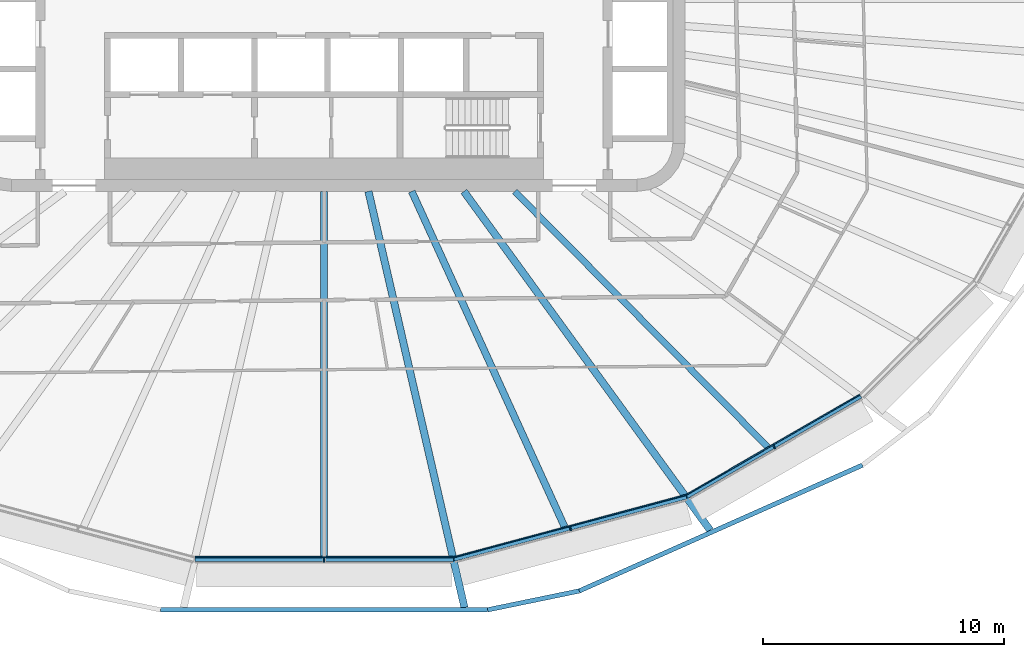
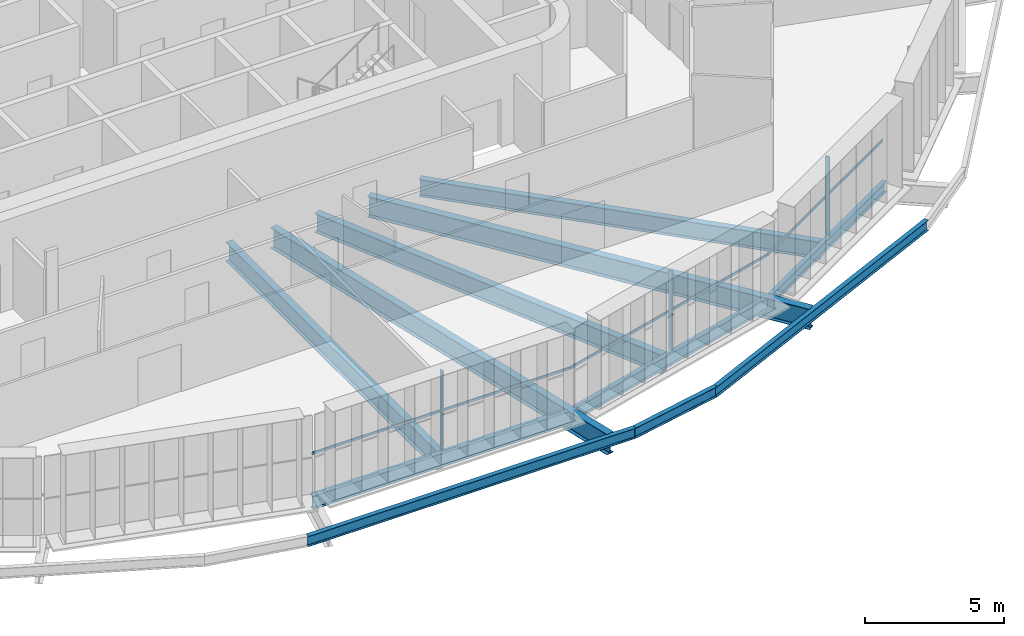
# One storey, part 3 of 23: 11 beams, 6 members, 3 elements without a shape of their own.
"""IFC4 building model written with IfcOpenShell, lengths in metres."""

import ifcopenshell
import ifcopenshell.guid

model = None  # the IFC model being written
_history = None  # IfcOwnerHistory: only IFC2X3 demands one
_inside = {}  # id of a spatial element -> (the spatial element, [elements in it])
_under = {}  # id of a project, library or spatial element -> (it, [spatial elements below it])
_declared = {}  # id of a project -> (the project, [libraries it declares])
_typed = {}  # id of a type object -> (the type object, [elements of that type])
_made_of = {}  # id of a material, layer set ... -> (it, [elements and type objects made of it])


def new_model(schema):
    """Start an empty IFC model of exactly this schema.

    Asked for "IFC4X3", IfcOpenShell would pick the latest addendum, in which some entities
    have other attributes; the version numbers below select the first issue.
    IFC2X3 requires an IfcOwnerHistory on every rooted entity: one is made here for all.
    """
    global model, _history
    if schema == "IFC4X3":
        model = ifcopenshell.file(schema_version=(4, 3, 0, 0))
    else:
        model = ifcopenshell.file(schema=schema)
    _inside.clear()
    _under.clear()
    _declared.clear()
    _typed.clear()
    _made_of.clear()
    _history = None
    if model.schema == "IFC2X3":
        org = make("IfcOrganization", Name="unknown")
        user = make(
            "IfcPersonAndOrganization",
            ThePerson=make("IfcPerson", FamilyName="unknown"),
            TheOrganization=org,
        )
        app = make(
            "IfcApplication",
            ApplicationDeveloper=org,
            Version="unknown",
            ApplicationFullName="unknown",
            ApplicationIdentifier="unknown",
        )
        _history = make(
            "IfcOwnerHistory",
            OwningUser=user,
            OwningApplication=app,
            ChangeAction="ADDED",
            CreationDate=0,
        )
    return model


def make(cls, **values):
    """One entity of the class cls with the attributes given. An attribute that is None is left unset."""
    return model.create_entity(
        cls, **{name: value for name, value in values.items() if value is not None}
    )


def rooted(cls, **values):
    """An entity with a GlobalId (a new one), such as an element, a storey or a relation."""
    return make(cls, GlobalId=ifcopenshell.guid.new(), OwnerHistory=_history, **values)


def si_unit(unit_type, name, prefix=None):
    """IfcSIUnit, for example si_unit("LENGTHUNIT", "METRE", prefix="MILLI")."""
    return make("IfcSIUnit", UnitType=unit_type, Prefix=prefix, Name=name)


def assignment(units):
    """IfcUnitAssignment: the units of a project."""
    return None if units is None else make("IfcUnitAssignment", Units=units)


def point(xyz):
    """IfcCartesianPoint."""
    return None if xyz is None else make("IfcCartesianPoint", Coordinates=xyz)


def direction(xyz):
    """IfcDirection."""
    return None if xyz is None else make("IfcDirection", DirectionRatios=xyz)


def frame(location, z_axis=None, x_axis=None):
    """IfcAxis2Placement3D, a coordinate frame: its origin and axes. An axis left out is left unset."""
    return make(
        "IfcAxis2Placement3D",
        Location=point(location),
        Axis=direction(z_axis),
        RefDirection=direction(x_axis),
    )


def frame_2d(location, x_axis=None):
    """IfcAxis2Placement2D, a coordinate frame in the plane: its origin and x axis."""
    return make(
        "IfcAxis2Placement2D", Location=point(location), RefDirection=direction(x_axis)
    )


def origin():
    """The frame at (0, 0, 0) with its axes left unset."""
    return frame((0.0, 0.0, 0.0))


def origin_2d():
    """The frame at (0, 0) in the plane with its x axis left unset."""
    return frame_2d((0.0, 0.0))


def place(relative_to, where):
    """IfcLocalPlacement: puts the frame where relative to a parent placement (None: the world)."""
    return make(
        "IfcLocalPlacement", PlacementRelTo=relative_to, RelativePlacement=where
    )


def context(
    kind, dimensions, precision=None, world=None, true_north=None, identifier=None
):
    """IfcGeometricRepresentationContext, for example the 3D "Model" context."""
    return make(
        "IfcGeometricRepresentationContext",
        ContextIdentifier=identifier,
        ContextType=kind,
        CoordinateSpaceDimension=dimensions,
        Precision=precision,
        WorldCoordinateSystem=world,
        TrueNorth=true_north,
    )


def subcontext(parent, identifier, kind, view, scale=None):
    """IfcGeometricRepresentationSubContext, for example "Body" below "Model"."""
    return make(
        "IfcGeometricRepresentationSubContext",
        ContextIdentifier=identifier,
        ContextType=kind,
        ParentContext=parent,
        TargetScale=scale,
        TargetView=view,
    )


def project(units=None, contexts=None):
    """IfcProject with its units and contexts."""
    return rooted(
        "IfcProject",
        Name="project",
        RepresentationContexts=contexts,
        UnitsInContext=assignment(units),
    )


def spatial(cls, under=None, at=None, **own):
    """A site, building, storey or space (cls), placed at a placement, below another one or the project."""
    s = rooted(cls, ObjectPlacement=at, **own)
    if under is not None:
        _under.setdefault(under.id(), (under, []))[1].append(s)
    return s


def profile(cls, at=None, kind="AREA", **sizes):
    """A parametric profile (cls). Its sizes go by their IFC names, for example OverallWidth=200.0."""
    return make(cls, ProfileType=kind, Position=at, **sizes)


def rectangle(**sizes):
    """IfcRectangleProfileDef."""
    return profile("IfcRectangleProfileDef", **sizes)


def i_section(**sizes):
    """IfcIShapeProfileDef."""
    return profile("IfcIShapeProfileDef", **sizes)


def extrude(swept, where, along, depth):
    """IfcExtrudedAreaSolid: the profile swept, set in the frame where, extruded along a direction by depth."""
    return make(
        "IfcExtrudedAreaSolid",
        SweptArea=swept,
        Position=where,
        ExtrudedDirection=direction(along),
        Depth=depth,
    )


def shape(context_of_items, identifier, shape_type, items):
    """IfcShapeRepresentation: the items that make up one representation, for example the "Body"."""
    return make(
        "IfcShapeRepresentation",
        ContextOfItems=context_of_items,
        RepresentationIdentifier=identifier,
        RepresentationType=shape_type,
        Items=items,
    )


def material(Name=None, Category=None):
    """IfcMaterial."""
    return make("IfcMaterial", Name=Name, Category=Category)


def layer(
    of_material, thickness, ventilated=None, Name=None, Category=None, Priority=None
):
    """IfcMaterialLayer: one layer of a wall or slab, of a material (None: an air gap)."""
    return make(
        "IfcMaterialLayer",
        Material=of_material,
        LayerThickness=thickness,
        IsVentilated=ventilated,
        Name=Name,
        Category=Category,
        Priority=Priority,
    )


def layer_set(layers, Name=None):
    """IfcMaterialLayerSet."""
    return make("IfcMaterialLayerSet", MaterialLayers=layers, LayerSetName=Name)


def material_profile(
    of_material, cross_section, Name=None, Category=None, Priority=None
):
    """IfcMaterialProfile: a cross section and its material."""
    return make(
        "IfcMaterialProfile",
        Name=Name,
        Material=of_material,
        Profile=cross_section,
        Priority=Priority,
        Category=Category,
    )


def profile_set(profiles, Name=None, composite=None):
    """IfcMaterialProfileSet."""
    return make(
        "IfcMaterialProfileSet",
        Name=Name,
        MaterialProfiles=profiles,
        CompositeProfile=composite,
    )


def made_of(thing, what):
    """Note that an element or type object is made of a material, layer set ...; save() writes the relation."""
    if what is not None:
        _made_of.setdefault(what.id(), (what, []))[1].append(thing)
    return thing


def type_object(cls, material=None, **own):
    """A type object (cls), such as IfcWallType, which elements share."""
    return made_of(rooted(cls, **own), material)


def element(
    cls,
    number,
    at=None,
    inside=None,
    cuts=None,
    type_object=None,
    material=None,
    context=None,
    identifier="Body",
    shape_type=None,
    held_by="IfcProductDefinitionShape",
    body=None,
    shapes=None,
    **own,
):
    """One element of the class cls, such as IfcWall. Its Tag is "e" and its number.

    at: its placement. inside: the storey or other place that contains it. cuts: it is an
    opening in that element (IfcRelVoidsElement). A single representation is given by context,
    identifier, shape_type and body (its items); several are given by shapes. held_by: the class
    of the entity that holds the representations. save() writes the other relations.
    """
    e = rooted(cls, Tag="e%d" % number, ObjectPlacement=at, **own)
    if body is not None:
        shapes = [shape(context, identifier, shape_type, body)]
    if shapes is not None:
        e.Representation = make(held_by, Representations=shapes)
    if inside is not None:
        _inside.setdefault(inside.id(), (inside, []))[1].append(e)
    if cuts is not None:
        rooted(
            "IfcRelVoidsElement", RelatingBuildingElement=cuts, RelatedOpeningElement=e
        )
    if type_object is not None:
        _typed.setdefault(type_object.id(), (type_object, []))[1].append(e)
    return made_of(e, material)


def aggregate(whole, parts):
    """IfcRelAggregates: a whole, such as a stair, and the parts it consists of."""
    return rooted("IfcRelAggregates", RelatingObject=whole, RelatedObjects=parts)


def save(model, path):
    """Write the relations noted so far, then the file.

    IfcRelAggregates (storeys below a building ...), IfcRelContainedInSpatialStructure (elements
    in a storey), IfcRelDefinesByType, IfcRelAssociatesMaterial and IfcRelDeclares: one each for
    every whole, place, type object, material and project.
    """
    for whole, parts in _under.values():
        aggregate(whole, parts)
    for where, things in _inside.values():
        rooted(
            "IfcRelContainedInSpatialStructure",
            RelatedElements=things,
            RelatingStructure=where,
        )
    for kind, things in _typed.values():
        rooted("IfcRelDefinesByType", RelatedObjects=things, RelatingType=kind)
    for what, things in _made_of.values():
        rooted("IfcRelAssociatesMaterial", RelatedObjects=things, RelatingMaterial=what)
    for by, libraries in _declared.values():
        rooted("IfcRelDeclares", RelatingContext=by, RelatedDefinitions=libraries)
    model.write(path)


model = new_model("IFC4")

# Units and contexts
model_context = context("Model", 3, precision=1e-05, world=origin(), true_north=direction((0.0, 1.0)))
body_context = subcontext(model_context, "Body", "Model", "MODEL_VIEW")
ifc_project = project(units=[si_unit("LENGTHUNIT", "METRE"), si_unit("AREAUNIT", "SQUARE_METRE"), si_unit("VOLUMEUNIT", "CUBIC_METRE"), si_unit("PLANEANGLEUNIT", "RADIAN"), si_unit("MASSUNIT", "GRAM", prefix="KILO")], contexts=[model_context])

# Site, building, storey
site_placement = place(None, origin())
site = spatial("IfcSite", under=ifc_project, at=site_placement, CompositionType="ELEMENT")
building_placement = place(site_placement, origin())
building = spatial("IfcBuilding", under=site, at=building_placement, Name="Sahrelin Media Tower", CompositionType="ELEMENT")
storey_placement = place(building_placement, frame((0.0, 0.0, 169.60009765625)))
storey = spatial("IfcBuildingStorey", under=building, at=storey_placement, Name="L35", CompositionType="ELEMENT", Elevation=169.60009765625)

# Beams
ifc_material_1 = material(Name="Steel S355", Category="steel")
ifc_material_profile_1 = material_profile(ifc_material_1, i_section(OverallWidth=0.1904296875, OverallDepth=0.45703125, WebThickness=0.009033203125, FlangeThickness=0.014404296875, FilletRadius=0.01025390625, at=origin_2d()), Name="UB 457x191x74")
ifc_profile_set_1 = profile_set([ifc_material_profile_1], Name="Steel S355")
beam_type_1 = type_object("IfcBeamType", Name="Edge beam EB5", PredefinedType="BEAM", material=ifc_profile_set_1)
beam_1_placement = place(storey_placement, frame((22.305419921875, -16.507568359375, -0.378662109375), z_axis=(-0.866026580217, -0.499997962354, 0.0), x_axis=(0.499997962354, -0.866026580217, 0.0)))
element("IfcBeam", 1, at=beam_1_placement, inside=storey, type_object=beam_type_1, Name="Edge beam L35-05", PredefinedType="BEAM", context=body_context, shape_type="SweptSolid", body=[
    extrude(i_section(OverallWidth=0.1904296875, OverallDepth=0.45703125, WebThickness=0.009033203125, FlangeThickness=0.014404296875, FilletRadius=0.01025390625, at=origin_2d()), origin(), (0.0, 0.0, 1.0), 8.33544921875),
])
ifc_material_profile_2 = material_profile(ifc_material_1, i_section(OverallWidth=0.208740234375, OverallDepth=0.5283203125, WebThickness=0.009521484375, FlangeThickness=0.01318359375, FilletRadius=0.0126953125, at=origin_2d()), Name="UB 533x210x82")
ifc_profile_set_2 = profile_set([ifc_material_profile_2], Name="Steel S355")
beam_type_2 = type_object("IfcBeamType", Name="Edge beam EB6", PredefinedType="BEAM", material=ifc_profile_set_2)
beam_2_placement = place(storey_placement, frame((15.06005859375, -20.686279296875, -0.414306640625), z_axis=(-0.965928765313, -0.258808076268, 0.0), x_axis=(0.258808076268, -0.965928765313, 0.0)))
element("IfcBeam", 2, at=beam_2_placement, inside=storey, type_object=beam_type_2, Name="Edge beam L35-06", PredefinedType="BEAM", context=body_context, shape_type="SweptSolid", body=[
    extrude(i_section(OverallWidth=0.208740234375, OverallDepth=0.5283203125, WebThickness=0.009521484375, FlangeThickness=0.01318359375, FilletRadius=0.0126953125, at=origin_2d()), origin(), (0.0, 0.0, 1.0), 10.001220703125),
])
ifc_material_profile_3 = material_profile(ifc_material_1, i_section(OverallWidth=0.2275390625, OverallDepth=0.6025390625, WebThickness=0.010498046875, FlangeThickness=0.014892578125, FilletRadius=0.0126953125, at=origin_2d()), Name="UB 610x229x101")
ifc_profile_set_3 = profile_set([ifc_material_profile_3], Name="Steel S355")
beam_type_3 = type_object("IfcBeamType", Name="Edge beam EB7", PredefinedType="BEAM", material=ifc_profile_set_3)
beam_3_placement = place(storey_placement, frame((5.37109375, -23.278564453125, -0.451416015625), z_axis=(-1.0, 0.0, 0.0), x_axis=(0.0, -1.0, 0.0)))
element("IfcBeam", 3, at=beam_3_placement, inside=storey, type_object=beam_type_3, Name="Edge beam L35-07", PredefinedType="BEAM", context=body_context, shape_type="SweptSolid", body=[
    extrude(i_section(OverallWidth=0.2275390625, OverallDepth=0.6025390625, WebThickness=0.010498046875, FlangeThickness=0.014892578125, FilletRadius=0.0126953125, at=origin_2d()), origin(), (0.0, 0.0, 1.0), 10.7421875),
])

# Curtain wall, member
ifc_material_2 = material(Name="Champagne anodised aluminium 6063-T6", Category="aluminium")
ifc_layer = layer(ifc_material_2, 0.14990234375)
ifc_layer_set = layer_set([ifc_layer], Name="Tower ribbon curtain wall")
curtain_wall_type = type_object("IfcCurtainWallType", Name="Tower ribbon curtain wall", PredefinedType="NOTDEFINED", material=ifc_layer_set)
curtain_wall_1_placement = place(storey_placement, frame((0.0, -23.428466796875, 0.0), z_axis=(0.0, 0.0, 1.0), x_axis=(1.0, 0.0, 0.0)))
curtain_wall_1 = element("IfcCurtainWall", 4, at=curtain_wall_1_placement, inside=storey, type_object=curtain_wall_type, Name="L35:CW:L35-18", PredefinedType="NOTDEFINED")
ifc_material_profile_4 = material_profile(ifc_material_2, rectangle(XDim=0.06005859375, YDim=0.175048828125, at=origin_2d()), Name="Mullion 60x175")
ifc_profile_set_4 = profile_set([ifc_material_profile_4], Name="Champagne anodised aluminium 6063-T6")
member_type_1 = type_object("IfcMemberType", Name="Mullion 60x175 CW1B", PredefinedType="MULLION", material=ifc_profile_set_4)
member_1_placement = place(storey_placement, frame((0.0, -23.321044921875, 0.0), z_axis=(0.0, 0.0, 1.0), x_axis=(1.0, 0.0, 0.0)))
member_1 = element("IfcMember", 5, at=member_1_placement, type_object=member_type_1, Name="L35:CWM:L35-18", PredefinedType="MULLION", context=body_context, shape_type="SweptSolid", body=[
    extrude(rectangle(XDim=0.06005859375, YDim=0.175048828125, at=origin_2d()), origin(), (0.0, 0.0, 1.0), 3.448486328125),
])

curtain_wall_2_placement = place(storey_placement, frame((10.268798828125, -22.12548828125, 0.0), z_axis=(0.0, 0.0, 1.0), x_axis=(1.0, 0.0, 0.0)))
curtain_wall_2 = element("IfcCurtainWall", 6, at=curtain_wall_2_placement, inside=storey, type_object=curtain_wall_type, Name="L35:CW:L35-19", PredefinedType="NOTDEFINED")
member_2_placement = place(storey_placement, frame((10.240966796875, -22.021484375, 0.0), z_axis=(0.0, 0.0, 1.0), x_axis=(0.965924019368, 0.258825788531, 0.0)))
member_2 = element("IfcMember", 7, at=member_2_placement, type_object=member_type_1, Name="L35:CWM:L35-19", PredefinedType="MULLION", context=body_context, shape_type="SweptSolid", body=[
    extrude(rectangle(XDim=0.06005859375, YDim=0.175048828125, at=origin_2d()), origin(), (0.0, 0.0, 1.0), 3.448486328125),
])

curtain_wall_3_placement = place(storey_placement, frame((18.77099609375, -18.72119140625, 0.0), z_axis=(0.0, 0.0, 1.0), x_axis=(1.0, 0.0, 0.0)))
curtain_wall_3 = element("IfcCurtainWall", 8, at=curtain_wall_3_placement, inside=storey, type_object=curtain_wall_type, Name="L35:CW:L35-20", PredefinedType="NOTDEFINED")
member_3_placement = place(storey_placement, frame((18.71728515625, -18.628173828125, 0.0), z_axis=(0.0, 0.0, 1.0), x_axis=(0.866028021766, 0.499995465495, 0.0)))
member_3 = element("IfcMember", 9, at=member_3_placement, type_object=member_type_1, Name="L35:CWM:L35-20", PredefinedType="MULLION", context=body_context, shape_type="SweptSolid", body=[
    extrude(rectangle(XDim=0.06005859375, YDim=0.175048828125, at=origin_2d()), origin(), (0.0, 0.0, 1.0), 3.448486328125),
])

# Beams
ifc_material_profile_5 = material_profile(ifc_material_1, i_section(OverallWidth=0.30322265625, OverallDepth=0.903076171875, WebThickness=0.01513671875, FlangeThickness=0.020263671875, FilletRadius=0.01904296875, at=origin_2d()), Name="UB 914x305x201")
ifc_profile_set_5 = profile_set([ifc_material_profile_5], Name="Steel S355")
beam_type_4 = type_object("IfcBeamType", Name="Radial primary beam PB11", PredefinedType="BEAM", material=ifc_profile_set_5)
beam_4_placement = place(storey_placement, frame((1.845703125, -8.0, -0.6015625), z_axis=(0.224811304433, -0.974402318039, 0.0), x_axis=(0.974402318039, 0.224811304433, 0.0)))
element("IfcBeam", 10, at=beam_4_placement, inside=storey, type_object=beam_type_4, Name="Radial beam L35-19", PredefinedType="BEAM", context=body_context, shape_type="SweptSolid", body=[
    extrude(i_section(OverallWidth=0.30322265625, OverallDepth=0.903076171875, WebThickness=0.01513671875, FlangeThickness=0.020263671875, FilletRadius=0.01904296875, at=origin_2d()), origin(), (0.0, 0.0, 1.0), 17.755859375),
])
beam_5_placement = place(storey_placement, frame((5.813720703125, -8.0, -0.6015625), z_axis=(0.587891589899, -0.808939724903, 0.0), x_axis=(0.808939724903, 0.587891589899, 0.0)))
element("IfcBeam", 11, at=beam_5_placement, inside=storey, type_object=beam_type_4, Name="Radial beam L35-20", PredefinedType="BEAM", context=body_context, shape_type="SweptSolid", body=[
    extrude(i_section(OverallWidth=0.30322265625, OverallDepth=0.903076171875, WebThickness=0.01513671875, FlangeThickness=0.020263671875, FilletRadius=0.01904296875, at=origin_2d()), origin(), (0.0, 0.0, 1.0), 17.415283203125),
])
ifc_material_profile_6 = material_profile(ifc_material_1, i_section(OverallWidth=0.291748046875, OverallDepth=0.8349609375, WebThickness=0.013916015625, FlangeThickness=0.018798828125, FilletRadius=0.017822265625, at=origin_2d()), Name="UB 838x292x176")
ifc_profile_set_6 = profile_set([ifc_material_profile_6], Name="Steel S355")
beam_type_5 = type_object("IfcBeamType", Name="Radial secondary beam SB10", PredefinedType="BEAM", material=ifc_profile_set_6)
beam_6_placement = place(storey_placement, frame((0.0, -8.0, -0.567626953125), z_axis=(0.0, -1.0, 0.0), x_axis=(1.0, 0.0, 0.0)))
element("IfcBeam", 12, at=beam_6_placement, inside=storey, type_object=beam_type_5, Name="Secondary beam L35-18", PredefinedType="BEAM", context=body_context, shape_type="SweptSolid", body=[
    extrude(i_section(OverallWidth=0.291748046875, OverallDepth=0.8349609375, WebThickness=0.013916015625, FlangeThickness=0.018798828125, FilletRadius=0.017822265625, at=origin_2d()), origin(), (0.0, 0.0, 1.0), 15.164794921875),
])
beam_7_placement = place(storey_placement, frame((3.645751953125, -8.0, -0.567626953125), z_axis=(0.414680791378, -0.909966945148, 0.0), x_axis=(0.909966945148, 0.414680791378, 0.0)))
element("IfcBeam", 13, at=beam_7_placement, inside=storey, type_object=beam_type_5, Name="Secondary beam L35-19", PredefinedType="BEAM", context=body_context, shape_type="SweptSolid", body=[
    extrude(i_section(OverallWidth=0.291748046875, OverallDepth=0.8349609375, WebThickness=0.013916015625, FlangeThickness=0.018798828125, FilletRadius=0.017822265625, at=origin_2d()), origin(), (0.0, 0.0, 1.0), 15.313720703125),
])
ifc_material_profile_7 = material_profile(ifc_material_1, i_section(OverallWidth=0.26513671875, OverallDepth=0.75390625, WebThickness=0.0126953125, FlangeThickness=0.017578125, FilletRadius=0.0166015625, at=origin_2d()), Name="UB 762x267x147")
ifc_profile_set_7 = profile_set([ifc_material_profile_7], Name="Steel S355")
beam_type_6 = type_object("IfcBeamType", Name="Radial secondary beam SB9", PredefinedType="BEAM", material=ifc_profile_set_7)
beam_8_placement = place(storey_placement, frame((7.9228515625, -8.0, -0.527099609375), z_axis=(0.703670153618, -0.710526786904, 0.0), x_axis=(0.710526786904, 0.703670153618, 0.0)))
element("IfcBeam", 14, at=beam_8_placement, inside=storey, type_object=beam_type_6, Name="Secondary beam L35-20", PredefinedType="BEAM", context=body_context, shape_type="SweptSolid", body=[
    extrude(i_section(OverallWidth=0.26513671875, OverallDepth=0.75390625, WebThickness=0.0126953125, FlangeThickness=0.017578125, FilletRadius=0.0166015625, at=origin_2d()), origin(), (0.0, 0.0, 1.0), 14.954833984375),
])
ifc_material_profile_8 = material_profile(ifc_material_1, i_section(OverallWidth=0.1904296875, OverallDepth=0.45703125, WebThickness=0.009033203125, FlangeThickness=0.014404296875, FilletRadius=0.01025390625, at=origin_2d()), Name="UB 457x191x74")
ifc_profile_set_8 = profile_set([ifc_material_profile_8], Name="Steel S355")
beam_type_7 = type_object("IfcBeamType", Name="Tie chord TC5", PredefinedType="BEAM", material=ifc_profile_set_8)
beam_9_placement = place(storey_placement, frame((-6.79833984375, -25.396484375, -0.378662109375), z_axis=(1.0, 0.0, 0.0), x_axis=(0.0, 1.0, 0.0)))
element("IfcBeam", 15, at=beam_9_placement, inside=storey, type_object=beam_type_7, Name="Tie chord L35-18", PredefinedType="BEAM", context=body_context, shape_type="SweptSolid", body=[
    extrude(i_section(OverallWidth=0.1904296875, OverallDepth=0.45703125, WebThickness=0.009033203125, FlangeThickness=0.014404296875, FilletRadius=0.01025390625, at=origin_2d()), origin(), (0.0, 0.0, 1.0), 13.5966796875),
])
beam_10_placement = place(storey_placement, frame((6.79833984375, -25.396484375, -0.378662109375), z_axis=(0.979388114358, 0.201987428952, 0.0), x_axis=(-0.201987428952, 0.979388114358, 0.0)))
element("IfcBeam", 16, at=beam_10_placement, inside=storey, type_object=beam_type_7, Name="Tie chord L35-19", PredefinedType="BEAM", context=body_context, shape_type="SweptSolid", body=[
    extrude(i_section(OverallWidth=0.1904296875, OverallDepth=0.45703125, WebThickness=0.009033203125, FlangeThickness=0.014404296875, FilletRadius=0.01025390625, at=origin_2d()), origin(), (0.0, 0.0, 1.0), 3.89208984375),
])
beam_11_placement = place(storey_placement, frame((10.610107421875, -24.6103515625, -0.378662109375), z_axis=(0.913832643014, 0.406091000347, 0.0), x_axis=(-0.406091000347, 0.913832643014, 0.0)))
element("IfcBeam", 17, at=beam_11_placement, inside=storey, type_object=beam_type_7, Name="Tie chord L35-20", PredefinedType="BEAM", context=body_context, shape_type="SweptSolid", body=[
    extrude(i_section(OverallWidth=0.1904296875, OverallDepth=0.45703125, WebThickness=0.009033203125, FlangeThickness=0.014404296875, FilletRadius=0.01025390625, at=origin_2d()), origin(), (0.0, 0.0, 1.0), 12.885498046875),
])

# Member
ifc_material_profile_9 = material_profile(ifc_material_2, rectangle(XDim=0.050048828125, YDim=0.110107421875, at=origin_2d()), Name="Transom 50x110")
ifc_profile_set_9 = profile_set([ifc_material_profile_9], Name="Champagne anodised aluminium 6063-T6")
member_type_2 = type_object("IfcMemberType", Name="Transom 50x110 CW1B", PredefinedType="USERDEFINED", material=ifc_profile_set_9)
member_4_placement = place(storey_placement, frame((-5.35546875, -23.20849609375, 1.599853515625), z_axis=(1.0, 0.0, 0.0), x_axis=(0.0, 1.0, 0.0)))
member_4 = element("IfcMember", 18, at=member_4_placement, type_object=member_type_2, Name="L35:CWT:L35-18", ObjectType="TRANSOM", PredefinedType="USERDEFINED", context=body_context, shape_type="SweptSolid", body=[
    extrude(rectangle(XDim=0.050048828125, YDim=0.110107421875, at=origin_2d()), origin(), (0.0, 0.0, 1.0), 10.7109375),
])

aggregate(curtain_wall_1, [member_1, member_4])

member_5_placement = place(storey_placement, frame((5.396728515625, -23.203125, 1.599853515625), z_axis=(0.965921270769, 0.258836045938, 0.0), x_axis=(-0.258836045938, 0.965921270769, 0.0)))
member_5 = element("IfcMember", 19, at=member_5_placement, type_object=member_type_2, Name="L35:CWT:L35-19", ObjectType="TRANSOM", PredefinedType="USERDEFINED", context=body_context, shape_type="SweptSolid", body=[
    extrude(rectangle(XDim=0.050048828125, YDim=0.110107421875, at=origin_2d()), origin(), (0.0, 0.0, 1.0), 9.969970703125),
])

aggregate(curtain_wall_2, [member_2, member_5])

member_6_placement = place(storey_placement, frame((15.065185546875, -20.606689453125, 1.599853515625), z_axis=(0.866030872041, 0.499990528583, 0.0), x_axis=(-0.499990528583, 0.866030872041, 0.0)))
member_6 = element("IfcMember", 20, at=member_6_placement, type_object=member_type_2, Name="L35:CWT:L35-20", ObjectType="TRANSOM", PredefinedType="USERDEFINED", context=body_context, shape_type="SweptSolid", body=[
    extrude(rectangle(XDim=0.050048828125, YDim=0.110107421875, at=origin_2d()), origin(), (0.0, 0.0, 1.0), 8.303955078125),
])

aggregate(curtain_wall_3, [member_3, member_6])

save(model, "model.ifc")
